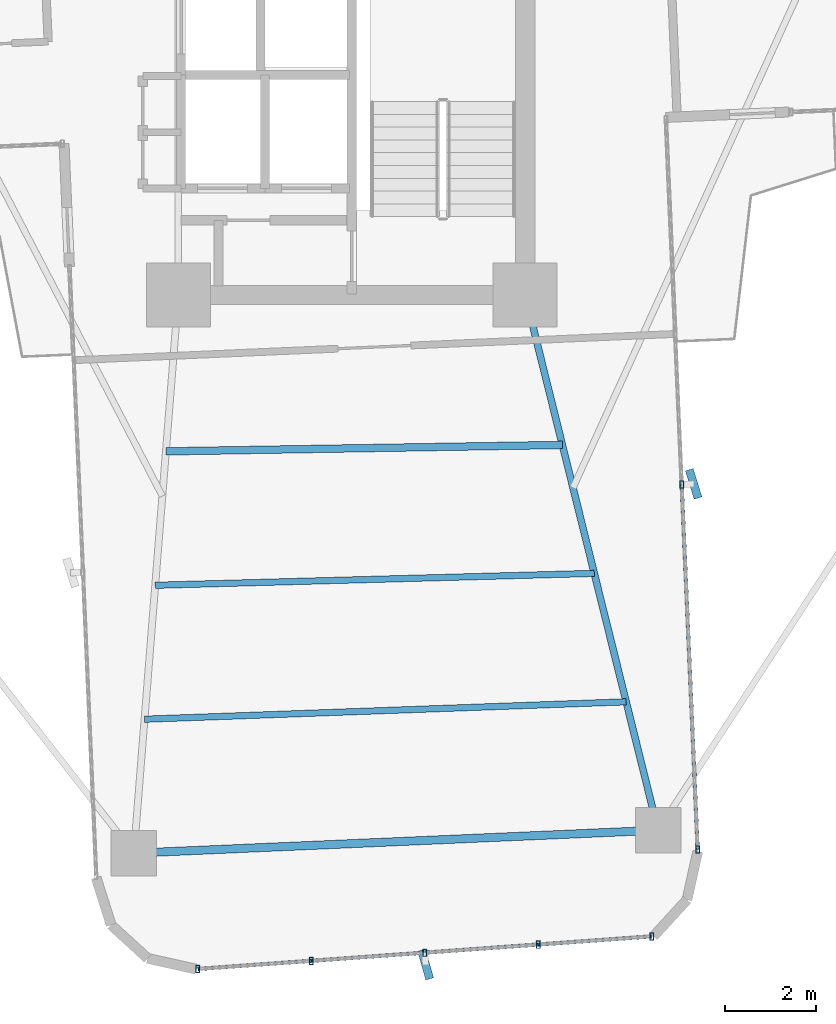
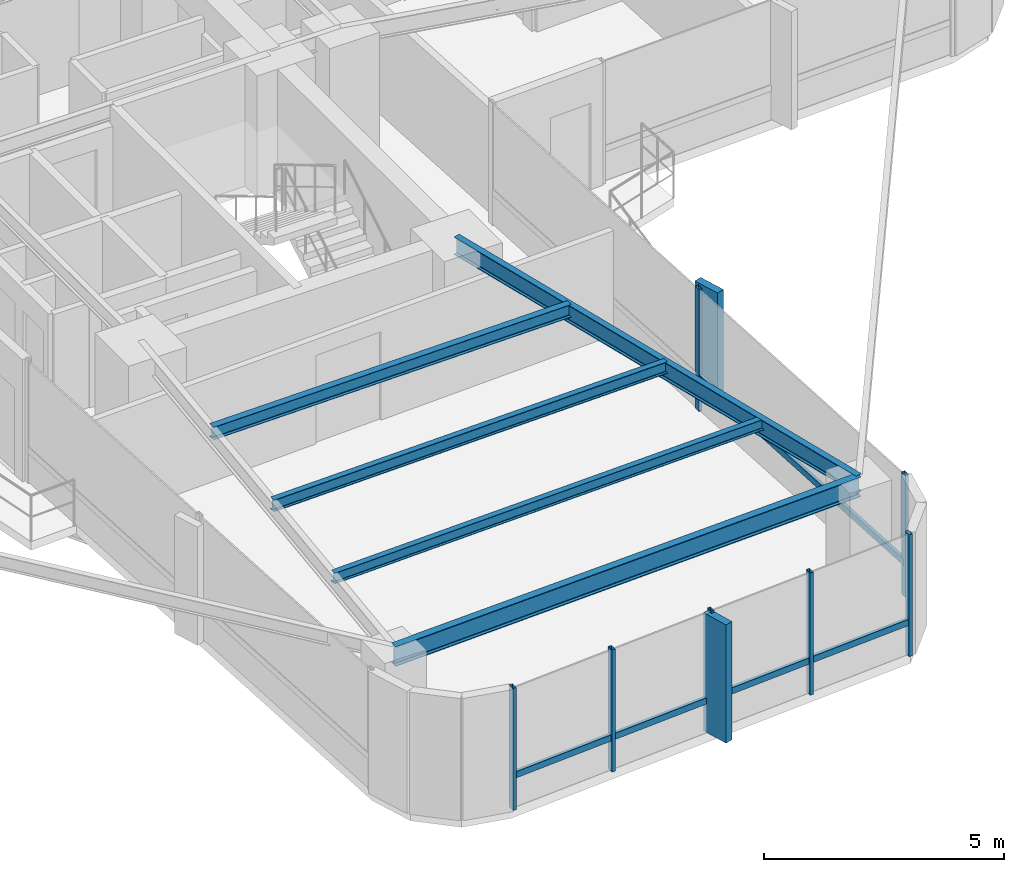
# One storey, part 6 of 26: 14 members, 5 beams, 2 elements without a shape of their own.
"""IFC4 building model written with IfcOpenShell, lengths in metres."""

from ifc_helpers import new_model, si_unit, direction, frame, origin, origin_2d, place, context, subcontext, project, spatial, rectangle, hollow_rectangle, i_section, extrude, source, transform, mapped, material, material_profile, profile_set, type_object, element, aggregate, save


model = new_model("IFC4")

# Units and contexts
model_context = context("Model", 3, precision=1e-05, world=origin(), true_north=direction((0.0, 1.0)))
body_context = subcontext(model_context, "Body", "Model", "MODEL_VIEW")
ifc_project = project(units=[si_unit("LENGTHUNIT", "METRE"), si_unit("AREAUNIT", "SQUARE_METRE"), si_unit("VOLUMEUNIT", "CUBIC_METRE"), si_unit("PLANEANGLEUNIT", "RADIAN"), si_unit("MASSUNIT", "GRAM", prefix="KILO")], contexts=[model_context])

# Site, building, storey
site_placement = place(None, origin())
site = spatial("IfcSite", under=ifc_project, at=site_placement, CompositionType="ELEMENT")
building_placement = place(site_placement, origin())
building = spatial("IfcBuilding", under=site, at=building_placement, Name="Sahyath Konkavel Grand Hotel", CompositionType="ELEMENT")
storey_placement = place(building_placement, frame((0.0, 0.0, 131.550048828125)))
storey = spatial("IfcBuildingStorey", under=building, at=storey_placement, Name="L36", CompositionType="ELEMENT", Elevation=131.550048828125)

# Beams
ifc_material_1 = material(Name="Steel E350", Category="steel")
ifc_material_profile_1 = material_profile(ifc_material_1, i_section(OverallWidth=0.14990234375, OverallDepth=0.449951171875, WebThickness=0.009521484375, FlangeThickness=0.017333984375, FilletRadius=0.014892578125, at=origin_2d()), Name="ISMB 450")
ifc_profile_set_1 = profile_set([ifc_material_profile_1], Name="Steel E350")
beam_type_1 = type_object("IfcBeamType", Name="BM-ISMB450", PredefinedType="BEAM", material=ifc_profile_set_1)
shared_shape_1 = source(origin(), body_context, "Body", "SweptSolid", [
    extrude(i_section(OverallWidth=0.14990234375, OverallDepth=0.449951171875, WebThickness=0.009521484375, FlangeThickness=0.017333984375, FilletRadius=0.014892578125, at=origin_2d()), origin(), (0.0, 0.0, 1.0), 12.084228515625),
])
beam_1_placement = place(storey_placement, frame((3.800048828125, -10.199951171875, 2.885009765625), z_axis=(0.241042688481, -0.970514514229, 0.0), x_axis=(0.970514514229, 0.241042688481, 0.0)))
element("IfcBeam", 1, at=beam_1_placement, inside=storey, type_object=beam_type_1, Name="L36 Cruciform Radial Girder SB", PredefinedType="BEAM", context=body_context, shape_type="MappedRepresentation", body=[
    mapped(shared_shape_1, transform((0.0, 0.0, 0.0), scale=1.0)),
])
ifc_material_profile_2 = material_profile(ifc_material_1, i_section(OverallWidth=0.179931640625, OverallDepth=0.5, WebThickness=0.01025390625, FlangeThickness=0.01708984375, FilletRadius=0.01708984375, at=origin_2d()), Name="ISMB 500")
ifc_profile_set_2 = profile_set([ifc_material_profile_2], Name="Steel E350")
beam_type_2 = type_object("IfcBeamType", Name="BM-ISMB500", PredefinedType="BEAM", material=ifc_profile_set_2)
shared_shape_2 = source(origin(), body_context, "Body", "SweptSolid", [
    extrude(i_section(OverallWidth=0.179931640625, OverallDepth=0.5, WebThickness=0.01025390625, FlangeThickness=0.01708984375, FilletRadius=0.01708984375, at=origin_2d()), origin(), (0.0, 0.0, 1.0), 11.5),
])
beam_2_placement = place(storey_placement, frame((-4.776123046875, -22.4296875, 2.85986328125), z_axis=(0.99904788879, 0.043627008892, 0.0), x_axis=(-0.043627008892, 0.99904788879, 0.0)))
element("IfcBeam", 2, at=beam_2_placement, inside=storey, type_object=beam_type_2, Name="L36 Wing Tip Edge Beam S", PredefinedType="BEAM", context=body_context, shape_type="MappedRepresentation", body=[
    mapped(shared_shape_2, transform((0.0, 0.0, 0.0), scale=1.0)),
])
ifc_material_profile_3 = material_profile(ifc_material_1, i_section(OverallWidth=0.1650390625, OverallDepth=0.324951171875, WebThickness=0.007080078125, FlangeThickness=0.009765625, FilletRadius=0.014892578125, at=origin_2d()), Name="ISLB 325")
ifc_profile_set_3 = profile_set([ifc_material_profile_3], Name="Steel E350")
beam_type_3 = type_object("IfcBeamType", Name="BM-ISLB325", PredefinedType="BEAM", material=ifc_profile_set_3)
shared_shape_3 = source(origin(), body_context, "Body", "SweptSolid", [
    extrude(i_section(OverallWidth=0.1650390625, OverallDepth=0.324951171875, WebThickness=0.007080078125, FlangeThickness=0.009765625, FilletRadius=0.014892578125, at=origin_2d()), origin(), (0.0, 0.0, 1.0), 8.68994140625),
])
beam_3_placement = place(storey_placement, frame((-4.0732421875, -13.624267578125, 2.947509765625), z_axis=(0.999869506431, 0.016154569283, 0.0), x_axis=(-0.016154569283, 0.999869506431, 0.0)))
element("IfcBeam", 3, at=beam_3_placement, inside=storey, type_object=beam_type_3, Name="L36 Secondary Floor Beam S-1", PredefinedType="BEAM", context=body_context, shape_type="MappedRepresentation", body=[
    mapped(shared_shape_3, transform((0.0, 0.0, 0.0), scale=1.0)),
])
ifc_material_profile_4 = material_profile(ifc_material_1, i_section(OverallWidth=0.139892578125, OverallDepth=0.300048828125, WebThickness=0.0078125, FlangeThickness=0.01318359375, FilletRadius=0.013916015625, at=origin_2d()), Name="ISMB 300")
ifc_profile_set_4 = profile_set([ifc_material_profile_4], Name="Steel E350")
beam_type_4 = type_object("IfcBeamType", Name="BM-ISMB300", PredefinedType="BEAM", material=ifc_profile_set_4)
shared_shape_4 = source(origin(), body_context, "Body", "SweptSolid", [
    extrude(i_section(OverallWidth=0.139892578125, OverallDepth=0.300048828125, WebThickness=0.0078125, FlangeThickness=0.01318359375, FilletRadius=0.013916015625, at=origin_2d()), origin(), (0.0, 0.0, 1.0), 9.625732421875),
])
beam_4_placement = place(storey_placement, frame((-4.3076171875, -16.559326171875, 2.9599609375), z_axis=(0.999633060528, 0.027087714933, 0.0), x_axis=(-0.027087714933, 0.999633060528, 0.0)))
element("IfcBeam", 4, at=beam_4_placement, inside=storey, type_object=beam_type_4, Name="L36 Secondary Floor Beam S-2", PredefinedType="BEAM", context=body_context, shape_type="MappedRepresentation", body=[
    mapped(shared_shape_4, transform((0.0, 0.0, 0.0), scale=1.0)),
])
ifc_material_profile_5 = material_profile(ifc_material_1, i_section(OverallWidth=0.139892578125, OverallDepth=0.27490234375, WebThickness=0.00634765625, FlangeThickness=0.0087890625, FilletRadius=0.012939453125, at=origin_2d()), Name="ISLB 275")
ifc_profile_set_5 = profile_set([ifc_material_profile_5], Name="Steel E350")
beam_type_5 = type_object("IfcBeamType", Name="BM-ISLB275", PredefinedType="BEAM", material=ifc_profile_set_5)
shared_shape_5 = source(origin(), body_context, "Body", "SweptSolid", [
    extrude(i_section(OverallWidth=0.139892578125, OverallDepth=0.27490234375, WebThickness=0.00634765625, FlangeThickness=0.0087890625, FilletRadius=0.012939453125, at=origin_2d()), origin(), (0.0, 0.0, 1.0), 10.562744140625),
])
beam_5_placement = place(storey_placement, frame((-4.5419921875, -19.49462890625, 2.972412109375), z_axis=(0.999348077295, 0.036102914095, 0.0), x_axis=(-0.036102914095, 0.999348077295, 0.0)))
element("IfcBeam", 5, at=beam_5_placement, inside=storey, type_object=beam_type_5, Name="L36 Secondary Floor Beam S-3", PredefinedType="BEAM", context=body_context, shape_type="MappedRepresentation", body=[
    mapped(shared_shape_5, transform((0.0, 0.0, 0.0), scale=1.0)),
])

# Curtain wall, members
ifc_material_2 = material(Name="Anodised Bronze Aluminium & Low-E Glazing", Category="aluminium")
curtain_wall_type = type_object("IfcCurtainWallType", Name="CW-ZONE2", PredefinedType="NOTDEFINED", material=ifc_material_2)
curtain_wall_1_placement = place(storey_placement, origin())
curtain_wall_1 = element("IfcCurtainWall", 6, at=curtain_wall_1_placement, inside=storey, type_object=curtain_wall_type, Name="L36 Unitised Curtain Wall F28", PredefinedType="NOTDEFINED")
ifc_material_3 = material(Name="Anodised Bronze Aluminium", Category="aluminium")
ifc_material_profile_6 = material_profile(ifc_material_3, hollow_rectangle(XDim=0.080078125, YDim=0.159912109375, WallThickness=0.006103515625, at=origin_2d()), Name="RHS 160x80x6")
ifc_profile_set_6 = profile_set([ifc_material_profile_6], Name="Anodised Bronze Aluminium")
member_type_1 = type_object("IfcMemberType", Name="CW-MUL-160", PredefinedType="MULLION", material=ifc_profile_set_6)
shared_shape_6 = source(origin(), body_context, "Body", "SweptSolid", [
    extrude(hollow_rectangle(XDim=0.080078125, YDim=0.159912109375, WallThickness=0.006103515625, at=origin_2d()), origin(), (0.0, 0.0, 1.0), 3.10986328125),
])
member_1_placement = place(storey_placement, frame((-3.3740234375, -24.9697265625, 0.0), z_axis=(0.0, 0.0, 1.0), x_axis=(1.0, 0.0, 0.0)))
member_1 = element("IfcMember", 7, at=member_1_placement, type_object=member_type_1, Name="L36 Curtain Wall Mullion F28-0", PredefinedType="MULLION", context=body_context, shape_type="MappedRepresentation", body=[
    mapped(shared_shape_6, transform((0.0, 0.0, 0.0), scale=1.0)),
])
member_2_placement = place(storey_placement, frame((-0.886962890625, -24.79150390625, 0.0), z_axis=(0.0, 0.0, 1.0), x_axis=(1.0, 0.0, 0.0)))
member_2 = element("IfcMember", 8, at=member_2_placement, type_object=member_type_1, Name="L36 Curtain Wall Mullion F28-1", PredefinedType="MULLION", context=body_context, shape_type="MappedRepresentation", body=[
    mapped(shared_shape_6, transform((0.0, 0.0, 0.0), scale=1.0)),
])
member_3_placement = place(storey_placement, frame((1.60009765625, -24.61279296875, 0.0), z_axis=(0.0, 0.0, 1.0), x_axis=(1.0, 0.0, 0.0)))
member_3 = element("IfcMember", 9, at=member_3_placement, type_object=member_type_1, Name="L36 Curtain Wall Mullion F28-2", PredefinedType="MULLION", context=body_context, shape_type="MappedRepresentation", body=[
    mapped(shared_shape_6, transform((0.0, 0.0, 0.0), scale=1.0)),
])
member_4_placement = place(storey_placement, frame((4.087158203125, -24.4345703125, 0.0), z_axis=(0.0, 0.0, 1.0), x_axis=(1.0, 0.0, 0.0)))
member_4 = element("IfcMember", 10, at=member_4_placement, type_object=member_type_1, Name="L36 Curtain Wall Mullion F28-3", PredefinedType="MULLION", context=body_context, shape_type="MappedRepresentation", body=[
    mapped(shared_shape_6, transform((0.0, 0.0, 0.0), scale=1.0)),
])
member_5_placement = place(storey_placement, frame((6.57421875, -24.256103515625, 0.0), z_axis=(0.0, 0.0, 1.0), x_axis=(1.0, 0.0, 0.0)))
member_5 = element("IfcMember", 11, at=member_5_placement, type_object=member_type_1, Name="L36 Curtain Wall Mullion F28-4", PredefinedType="MULLION", context=body_context, shape_type="MappedRepresentation", body=[
    mapped(shared_shape_6, transform((0.0, 0.0, 0.0), scale=1.0)),
])

curtain_wall_2_placement = place(storey_placement, origin())
curtain_wall_2 = element("IfcCurtainWall", 12, at=curtain_wall_2_placement, inside=storey, type_object=curtain_wall_type, Name="L36 Unitised Curtain Wall F31", PredefinedType="NOTDEFINED")
member_6_placement = place(storey_placement, frame((7.582275390625, -22.3505859375, 0.0), z_axis=(0.0, 0.0, 1.0), x_axis=(1.0, 0.0, 0.0)))
member_6 = element("IfcMember", 13, at=member_6_placement, type_object=member_type_1, Name="L36 Curtain Wall Mullion F31-0", PredefinedType="MULLION", context=body_context, shape_type="MappedRepresentation", body=[
    mapped(shared_shape_6, transform((0.0, 0.0, 0.0), scale=1.0)),
])
member_7_placement = place(storey_placement, frame((7.232666015625, -14.34814453125, 0.0), z_axis=(0.0, 0.0, 1.0), x_axis=(1.0, 0.0, 0.0)))
member_7 = element("IfcMember", 14, at=member_7_placement, type_object=member_type_1, Name="L36 Curtain Wall Mullion F31-1", PredefinedType="MULLION", context=body_context, shape_type="MappedRepresentation", body=[
    mapped(shared_shape_6, transform((0.0, 0.0, 0.0), scale=1.0)),
])

# Member
ifc_material_4 = material(Name="Warm Buff Sandstone Cladding on Concrete C50/60", Category="masonry")
ifc_material_profile_7 = material_profile(ifc_material_4, rectangle(XDim=0.179931640625, YDim=0.64990234375, at=origin_2d()), Name="FIN 180x650")
ifc_profile_set_7 = profile_set([ifc_material_profile_7], Name="Warm Buff Sandstone Cladding on Concrete C50/60")
member_type_2 = type_object("IfcMemberType", Name="FIN-SANDSTONE-650", PredefinedType="MULLION", material=ifc_profile_set_7)
shared_shape_7 = source(origin(), body_context, "Body", "SweptSolid", [
    extrude(rectangle(XDim=0.179931640625, YDim=0.64990234375, at=origin_2d()), origin(), (0.0, 0.0, 1.0), 3.010009765625),
])
member_8_placement = place(storey_placement, frame((1.61865234375, -24.872314453125, 0.050048828125), z_axis=(0.0, 0.0, 1.0), x_axis=(0.961693479997, 0.274127070043, 0.0)))
member_8 = element("IfcMember", 15, at=member_8_placement, type_object=member_type_2, Name="L36 Sandstone Vertical Solar Fin FIN F28-2", PredefinedType="MULLION", context=body_context, shape_type="MappedRepresentation", body=[
    mapped(shared_shape_7, transform((0.0, 0.0, 0.0), scale=1.0)),
])

member_9_placement = place(storey_placement, frame((7.492431640625, -14.3369140625, 0.050048828125), z_axis=(0.0, 0.0, 1.0), x_axis=(0.955278362122, 0.295708050044, 0.0)))
member_9 = element("IfcMember", 16, at=member_9_placement, type_object=member_type_2, Name="L36 Sandstone Vertical Solar Fin FIN F31-1", PredefinedType="MULLION", context=body_context, shape_type="MappedRepresentation", body=[
    mapped(shared_shape_7, transform((0.0, 0.0, 0.0), scale=1.0)),
])

ifc_material_profile_8 = material_profile(ifc_material_3, hollow_rectangle(XDim=0.080078125, YDim=0.159912109375, WallThickness=0.006103515625, at=origin_2d()), Name="RHS 160x80x6")
ifc_profile_set_8 = profile_set([ifc_material_profile_8], Name="Anodised Bronze Aluminium")
member_type_3 = type_object("IfcMemberType", Name="CW-TRN-160", PredefinedType="USERDEFINED", material=ifc_profile_set_8)
shared_shape_8 = source(origin(), body_context, "Body", "SweptSolid", [
    extrude(hollow_rectangle(XDim=0.080078125, YDim=0.159912109375, WallThickness=0.006103515625, at=origin_2d()), origin(), (0.0, 0.0, 1.0), 2.493408203125),
])
member_10_placement = place(storey_placement, frame((-3.3740234375, -24.9697265625, 0.849853515625), z_axis=(0.997442271688, 0.071476672066, 0.0), x_axis=(-0.071476672066, 0.997442271688, 0.0)))
member_10 = element("IfcMember", 17, at=member_10_placement, type_object=member_type_3, Name="L36 Curtain Wall Transom F28-0-spandrel", ObjectType="TRANSOM", PredefinedType="USERDEFINED", context=body_context, shape_type="MappedRepresentation", body=[
    mapped(shared_shape_8, transform((0.0, 0.0, 0.0), scale=1.0)),
])

member_11_placement = place(storey_placement, frame((-0.886962890625, -24.79150390625, 0.849853515625), z_axis=(0.997428291631, 0.071671494009, 0.0), x_axis=(-0.071671494009, 0.997428291631, 0.0)))
member_11 = element("IfcMember", 18, at=member_11_placement, type_object=member_type_3, Name="L36 Curtain Wall Transom F28-1-spandrel", ObjectType="TRANSOM", PredefinedType="USERDEFINED", context=body_context, shape_type="MappedRepresentation", body=[
    mapped(shared_shape_8, transform((0.0, 0.0, 0.0), scale=1.0)),
])

member_12_placement = place(storey_placement, frame((1.60009765625, -24.61279296875, 0.849853515625), z_axis=(0.997442271688, 0.071476672066, 0.0), x_axis=(-0.071476672066, 0.997442271688, 0.0)))
member_12 = element("IfcMember", 19, at=member_12_placement, type_object=member_type_3, Name="L36 Curtain Wall Transom F28-2-spandrel", ObjectType="TRANSOM", PredefinedType="USERDEFINED", context=body_context, shape_type="MappedRepresentation", body=[
    mapped(shared_shape_8, transform((0.0, 0.0, 0.0), scale=1.0)),
])

member_13_placement = place(storey_placement, frame((4.087158203125, -24.4345703125, 0.849853515625), z_axis=(0.997435286367, 0.071574084062, 0.0), x_axis=(-0.071574084062, 0.997435286367, 0.0)))
member_13 = element("IfcMember", 20, at=member_13_placement, type_object=member_type_3, Name="L36 Curtain Wall Transom F28-3-spandrel", ObjectType="TRANSOM", PredefinedType="USERDEFINED", context=body_context, shape_type="MappedRepresentation", body=[
    mapped(shared_shape_8, transform((0.0, 0.0, 0.0), scale=1.0)),
])

aggregate(curtain_wall_1, [member_1, member_2, member_3, member_8, member_4, member_5, member_10, member_11, member_12, member_13])

shared_shape_9 = source(origin(), body_context, "Body", "SweptSolid", [
    extrude(hollow_rectangle(XDim=0.080078125, YDim=0.159912109375, WallThickness=0.006103515625, at=origin_2d()), origin(), (0.0, 0.0, 1.0), 8.010009765625),
])
member_14_placement = place(storey_placement, frame((7.582275390625, -22.3505859375, 0.849853515625), z_axis=(-0.043646207089, 0.999047050247, 0.0), x_axis=(-0.999047050247, -0.043646207089, 0.0)))
member_14 = element("IfcMember", 21, at=member_14_placement, type_object=member_type_3, Name="L36 Curtain Wall Transom F31-0-spandrel", ObjectType="TRANSOM", PredefinedType="USERDEFINED", context=body_context, shape_type="MappedRepresentation", body=[
    mapped(shared_shape_9, transform((0.0, 0.0, 0.0), scale=1.0)),
])

aggregate(curtain_wall_2, [member_6, member_7, member_9, member_14])

save(model, "model.ifc")
